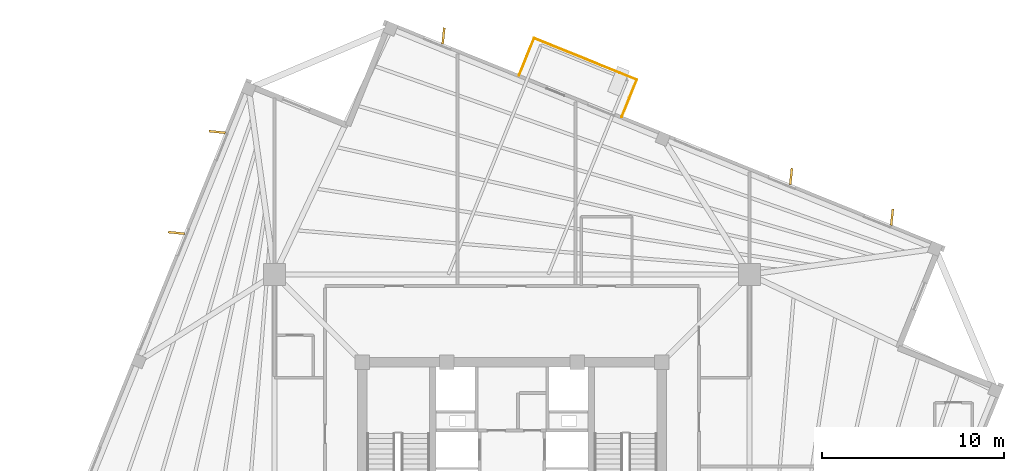
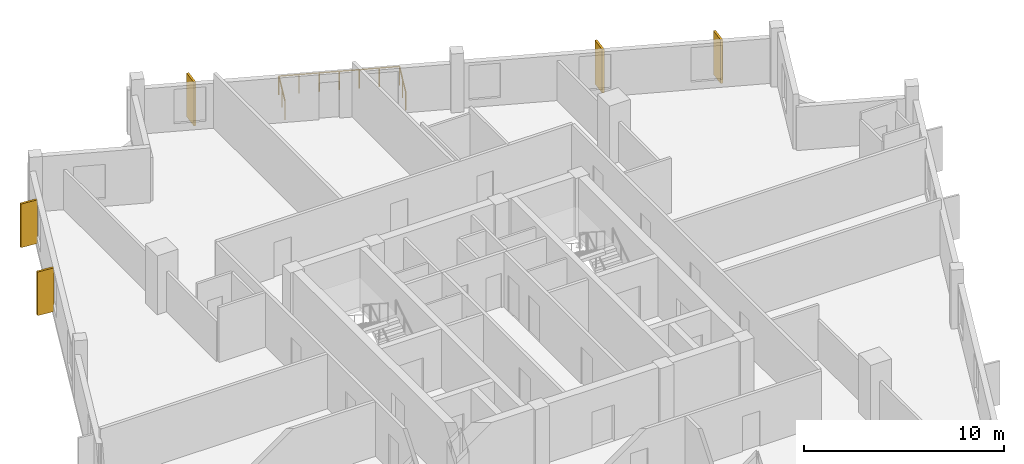
# One storey, part 8 of 8: 5 coverings, 3 railings.
"""IFC4 building model written with IfcOpenShell, lengths in metres."""

from ifc_helpers import new_model, si_unit, direction, frame, origin, origin_2d, place, context, subcontext, project, spatial, rectangle, circle, extrude, source, transform, mapped, material, layer, layer_set, type_object, element, save


model = new_model("IFC4")

# Units and contexts
model_context = context("Model", 3, precision=1e-05, world=origin(), true_north=direction((0.0, 1.0)))
body_context = subcontext(model_context, "Body", "Model", "MODEL_VIEW")
ifc_project = project(units=[si_unit("LENGTHUNIT", "METRE"), si_unit("AREAUNIT", "SQUARE_METRE"), si_unit("VOLUMEUNIT", "CUBIC_METRE"), si_unit("PLANEANGLEUNIT", "RADIAN"), si_unit("MASSUNIT", "GRAM", prefix="KILO"), si_unit("THERMODYNAMICTEMPERATUREUNIT", "KELVIN")], contexts=[model_context])

# Site, building, storey
site_placement = place(None, origin())
site = spatial("IfcSite", under=ifc_project, at=site_placement, CompositionType="ELEMENT")
building_placement = place(site_placement, origin())
building = spatial("IfcBuilding", under=site, at=building_placement, Name="Kosmvard Interchange Tower", CompositionType="ELEMENT")
storey_placement = place(building_placement, frame((0.0, 0.0, 308.39990234375)))
storey = spatial("IfcBuildingStorey", under=building, at=storey_placement, Name="L76", CompositionType="ELEMENT", Elevation=308.39990234375)

# Coverings
ifc_material_1 = material(Name="Architectural anodised aluminium", Category="aluminium")
ifc_layer = layer(ifc_material_1, 0.1201171875, Name="Architectural anodised aluminium")
ifc_layer_set = layer_set([ifc_layer], Name="Architectural anodised aluminium")
covering_type = type_object("IfcCoveringType", Name="Rotating Vertical Sun-Breaker Fin 900x120 Aluminium", PredefinedType="CLADDING", material=ifc_layer_set)
shared_shape_1 = source(origin(), body_context, "Body", "SweptSolid", [
    extrude(rectangle(XDim=0.89990234375, YDim=0.1201171875, at=origin_2d()), origin(), (0.0, 0.0, 1.0), 2.669921875),
])
for number, where, z_axis, x_axis, name in (
    (1, (20.932373046875, 16.2412109375, 0.0400390625), (0.0, 0.0, 1.0), (0.104528463268, 0.994521895368, 0.0), "L76 Rotating Vertical Sun-Breaker Fin 05"),
    (2, (15.373046875, 18.4873046875, 0.0400390625), (0.0, 0.0, 1.0), (0.104528463268, 0.994521895368, 0.0), "L76 Rotating Vertical Sun-Breaker Fin 06"),
    (3, (-3.775390625, 26.223876953125, 0.0400390625), (0.0, 0.0, 1.0), (0.104528463268, 0.994521895368, 0.0), "L76 Rotating Vertical Sun-Breaker Fin 07"),
    (4, (-16.2412109375, 20.932373046875, 0.0400390625), (0.0, 0.0, 1.0), (-0.994521895368, 0.104528463268, 0.0), "L76 Rotating Vertical Sun-Breaker Fin 08"),
    (5, (-18.4873046875, 15.373046875, 0.0400390625), (0.0, 0.0, 1.0), (-0.994521895368, 0.104528463268, 0.0), "L76 Rotating Vertical Sun-Breaker Fin 09"),
):
    element("IfcCovering", number, at=place(storey_placement, frame(where, z_axis=z_axis, x_axis=x_axis)), inside=storey, type_object=covering_type, Name=name, PredefinedType="CLADDING", context=body_context, shape_type="MappedRepresentation", body=[
        mapped(shared_shape_1, transform((0.0, 0.0, 0.0), scale=1.0)),
    ])

# Railings
ifc_material_2 = material(Name="Steel S355", Category="steel")
railing_type = type_object("IfcRailingType", Name="Observation & Balcony Glass-Infill Balustrade 1150", PredefinedType="BALUSTRADE", material=ifc_material_2)
shared_shape_2 = source(origin(), body_context, "Body", "SweptSolid", [
    extrude(circle(Radius=0.02392578125, at=origin_2d()), frame((0.0, 0.0, 1.1259765625), z_axis=(0.374545618852, 0.927208487558, 0.0), x_axis=(-0.927208487558, 0.374545618852, 0.0)), (0.0, 0.0, 1.0), 2.199951171875),
    extrude(circle(Radius=0.02099609375, at=origin_2d()), origin(), (0.0, 0.0, 1.0), 1.101806640625),
    extrude(circle(Radius=0.02099609375, at=origin_2d()), frame((0.412109375, 1.02001953125, 0.0)), (0.0, 0.0, 1.0), 1.101806640625),
    extrude(circle(Radius=0.02099609375, at=origin_2d()), frame((0.823974609375, 2.039794921875, 0.0)), (0.0, 0.0, 1.0), 1.101806640625),
])
railing_1_placement = place(storey_placement, frame((6.045654296875, 21.7705078125, 0.0)))
element("IfcRailing", 6, at=railing_1_placement, inside=storey, type_object=railing_type, Name="L76 Outdoor Terrace Guard BAL-L76-E-A", PredefinedType="BALUSTRADE", context=body_context, shape_type="MappedRepresentation", body=[
    mapped(shared_shape_2, transform((0.0, 0.0, 0.0), scale=1.0)),
])
shared_shape_3 = source(origin(), body_context, "Body", "SweptSolid", [
    extrude(circle(Radius=0.02392578125, at=origin_2d()), frame((0.0, 0.0, 1.1259765625), z_axis=(-0.927179288599, 0.374617894384, 0.0), x_axis=(-0.374617894384, -0.927179288599, 0.0)), (0.0, 0.0, 1.0), 6.099853515625),
    extrude(circle(Radius=0.02099609375, at=origin_2d()), origin(), (0.0, 0.0, 1.0), 1.101806640625),
    extrude(circle(Radius=0.02099609375, at=origin_2d()), frame((-0.942626953125, 0.380859375, 0.0)), (0.0, 0.0, 1.0), 1.101806640625),
    extrude(circle(Radius=0.02099609375, at=origin_2d()), frame((-1.88525390625, 0.76171875, 0.0)), (0.0, 0.0, 1.0), 1.101806640625),
    extrude(circle(Radius=0.02099609375, at=origin_2d()), frame((-2.827880859375, 1.142578125, 0.0)), (0.0, 0.0, 1.0), 1.101806640625),
    extrude(circle(Radius=0.02099609375, at=origin_2d()), frame((-3.7705078125, 1.5234375, 0.0)), (0.0, 0.0, 1.0), 1.101806640625),
    extrude(circle(Radius=0.02099609375, at=origin_2d()), frame((-4.713134765625, 1.904296875, 0.0)), (0.0, 0.0, 1.0), 1.101806640625),
    extrude(circle(Radius=0.02099609375, at=origin_2d()), frame((-5.65576171875, 2.28515625, 0.0)), (0.0, 0.0, 1.0), 1.101806640625),
])
railing_2_placement = place(storey_placement, frame((6.86962890625, 23.810302734375, 0.0)))
element("IfcRailing", 7, at=railing_2_placement, inside=storey, type_object=railing_type, Name="L76 Outdoor Terrace Guard BAL-L76-E-B", PredefinedType="BALUSTRADE", context=body_context, shape_type="MappedRepresentation", body=[
    mapped(shared_shape_3, transform((0.0, 0.0, 0.0), scale=1.0)),
])
shared_shape_4 = source(origin(), body_context, "Body", "SweptSolid", [
    extrude(circle(Radius=0.02392578125, at=origin_2d()), frame((0.0, 0.0, 1.1259765625), z_axis=(-0.374545618852, -0.927208487558, 0.0), x_axis=(0.927208487558, -0.374545618852, 0.0)), (0.0, 0.0, 1.0), 2.199951171875),
    extrude(circle(Radius=0.02099609375, at=origin_2d()), origin(), (0.0, 0.0, 1.0), 1.101806640625),
    extrude(circle(Radius=0.02099609375, at=origin_2d()), frame((-0.412109375, -1.02001953125, 0.0)), (0.0, 0.0, 1.0), 1.101806640625),
    extrude(circle(Radius=0.02099609375, at=origin_2d()), frame((-0.823974609375, -2.039794921875, 0.0)), (0.0, 0.0, 1.0), 1.101806640625),
])
railing_3_placement = place(storey_placement, frame((1.2138671875, 26.095458984375, 0.0)))
element("IfcRailing", 8, at=railing_3_placement, inside=storey, type_object=railing_type, Name="L76 Outdoor Terrace Guard BAL-L76-E-C", PredefinedType="BALUSTRADE", context=body_context, shape_type="MappedRepresentation", body=[
    mapped(shared_shape_4, transform((0.0, 0.0, 0.0), scale=1.0)),
])

save(model, "model.ifc")
